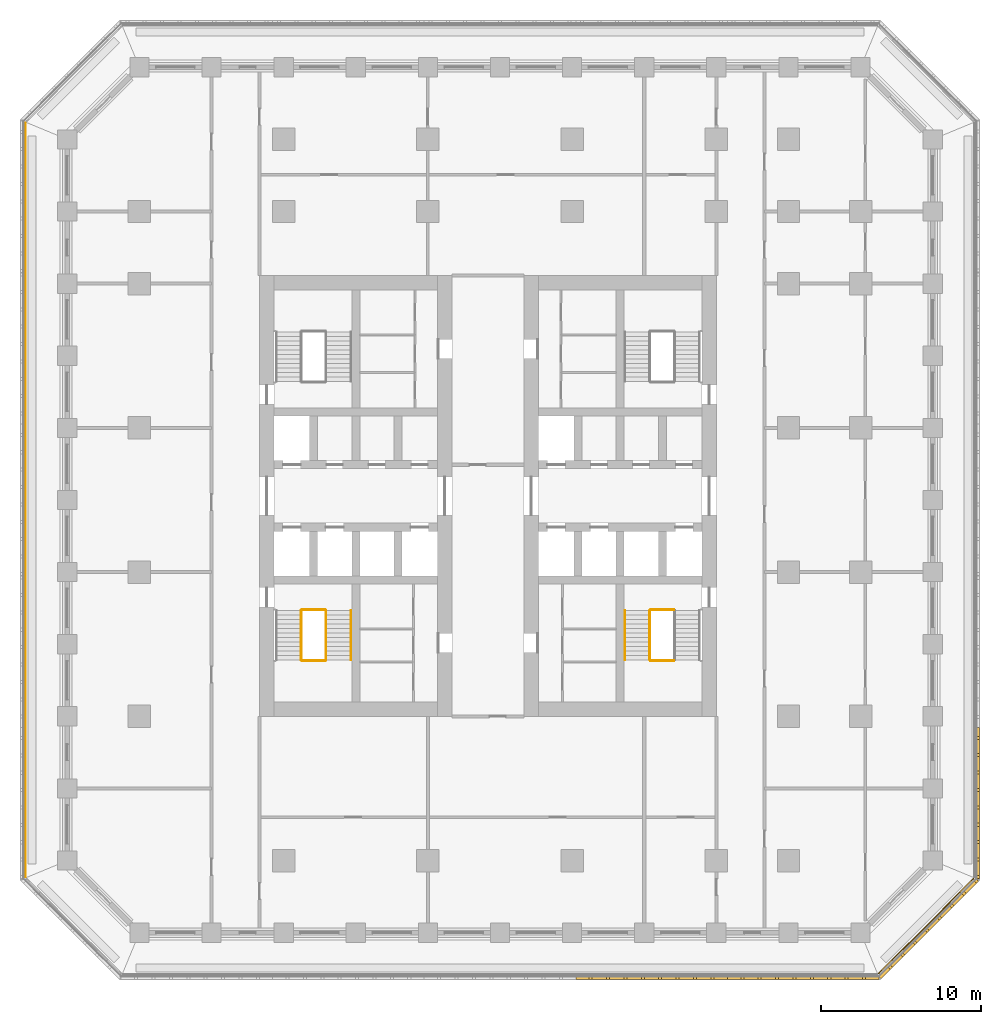
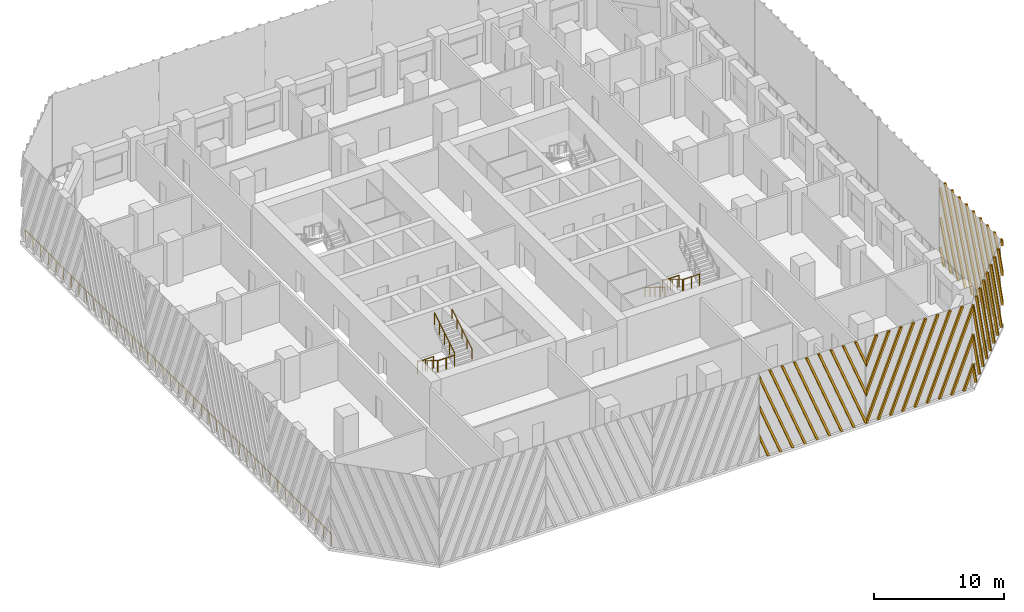
# One storey, part 12 of 19: 11 railings, 4 shading devices.
"""IFC4 building model written with IfcOpenShell, lengths in metres."""

from ifc_helpers import new_model, si_unit, direction, frame, origin, origin_2d, place, context, subcontext, project, spatial, polyline, circle, outline, extrude, source, transform, mapped, material, type_object, element, save


model = new_model("IFC4")

# Units and contexts
model_context = context("Model", 3, precision=1e-05, world=origin(), true_north=direction((0.0, 1.0)))
body_context = subcontext(model_context, "Body", "Model", "MODEL_VIEW")
ifc_project = project(units=[si_unit("LENGTHUNIT", "METRE"), si_unit("AREAUNIT", "SQUARE_METRE"), si_unit("VOLUMEUNIT", "CUBIC_METRE"), si_unit("PLANEANGLEUNIT", "RADIAN"), si_unit("MASSUNIT", "GRAM", prefix="KILO")], contexts=[model_context])

# Site, building, storey
site_placement = place(None, origin())
site = spatial("IfcSite", under=ifc_project, at=site_placement, CompositionType="ELEMENT")
building_placement = place(site_placement, origin())
building = spatial("IfcBuilding", under=site, at=building_placement, Name="Corbel Stack Research Tower", CompositionType="ELEMENT")
storey_placement = place(building_placement, frame((0.0, 0.0, 90.199951171875)))
storey = spatial("IfcBuildingStorey", under=building, at=storey_placement, Name="L20", CompositionType="ELEMENT", Elevation=90.199951171875)

# Railings
ifc_material_1 = material(Name="Steel S355", Category="steel")
railing_type_1 = type_object("IfcRailingType", Name="Stair guard 1100", PredefinedType="GUARDRAIL", material=ifc_material_1)
railing_1_placement = place(storey_placement, frame((-7.89990234375, -2.39990234375, 0.1708984375)))
element("IfcRailing", 1, at=railing_1_placement, inside=storey, type_object=railing_type_1, Name="L20 ST-W1 stair guard 1", PredefinedType="GUARDRAIL", context=body_context, shape_type="SweptSolid", body=[
    extrude(circle(Radius=0.02392578125, at=origin_2d()), frame((0.0, 0.0, 1.076171875), z_axis=(0.0, -0.853666305674, 0.52082035152), x_axis=(1.0, 0.0, 0.0)), (0.0, 0.0, 1.0), 3.608154296875),
    extrude(circle(Radius=0.02099609375, at=origin_2d()), origin(), (0.0, 0.0, 1.0), 1.052001953125),
    extrude(circle(Radius=0.02099609375, at=origin_2d()), frame((0.0, -0.77001953125, 0.4697265625)), (0.0, 0.0, 1.0), 1.052001953125),
    extrude(circle(Radius=0.02099609375, at=origin_2d()), frame((0.0, -1.5400390625, 0.939453125)), (0.0, 0.0, 1.0), 1.052001953125),
    extrude(circle(Radius=0.02099609375, at=origin_2d()), frame((0.0, -2.31005859375, 1.409423828125)), (0.0, 0.0, 1.0), 1.052001953125),
    extrude(circle(Radius=0.02099609375, at=origin_2d()), frame((0.0, -3.080078125, 1.879150390625)), (0.0, 0.0, 1.0), 1.052001953125),
])
railing_2_placement = place(storey_placement, frame((-7.85009765625, -5.530029296875, 2.050048828125)))
element("IfcRailing", 2, at=railing_2_placement, inside=storey, type_object=railing_type_1, Name="L20 ST-W1 stair guard 2", PredefinedType="GUARDRAIL", context=body_context, shape_type="SweptSolid", body=[
    extrude(circle(Radius=0.02392578125, at=origin_2d()), frame((0.0, 0.0, 1.076171875), z_axis=(1.0, 0.0, 0.0), x_axis=(0.0, 1.0, 0.0)), (0.0, 0.0, 1.0), 1.4501953125),
    extrude(circle(Radius=0.02099609375, at=origin_2d()), origin(), (0.0, 0.0, 1.0), 1.052001953125),
    extrude(circle(Radius=0.02099609375, at=origin_2d()), frame((0.72509765625, 0.0, 0.0)), (0.0, 0.0, 1.0), 1.052001953125),
    extrude(circle(Radius=0.02099609375, at=origin_2d()), frame((1.4501953125, 0.0, 0.0)), (0.0, 0.0, 1.0), 1.052001953125),
])
railing_3_placement = place(storey_placement, frame((-6.35009765625, -5.47998046875, 2.220947265625)))
element("IfcRailing", 3, at=railing_3_placement, inside=storey, type_object=railing_type_1, Name="L20 ST-W1 stair guard 4", PredefinedType="GUARDRAIL", context=body_context, shape_type="SweptSolid", body=[
    extrude(circle(Radius=0.02392578125, at=origin_2d()), frame((0.0, 0.0, 1.076171875), z_axis=(0.0, 0.853666305674, 0.52082035152), x_axis=(-1.0, 0.0, 0.0)), (0.0, 0.0, 1.0), 3.608154296875),
    extrude(circle(Radius=0.02099609375, at=origin_2d()), origin(), (0.0, 0.0, 1.0), 1.052001953125),
    extrude(circle(Radius=0.02099609375, at=origin_2d()), frame((0.0, 0.77001953125, 0.4697265625)), (0.0, 0.0, 1.0), 1.052001953125),
    extrude(circle(Radius=0.02099609375, at=origin_2d()), frame((0.0, 1.5400390625, 0.939453125)), (0.0, 0.0, 1.0), 1.052001953125),
    extrude(circle(Radius=0.02099609375, at=origin_2d()), frame((0.0, 2.31005859375, 1.409423828125)), (0.0, 0.0, 1.0), 1.052001953125),
    extrude(circle(Radius=0.02099609375, at=origin_2d()), frame((0.0, 3.080078125, 1.879150390625)), (0.0, 0.0, 1.0), 1.052001953125),
])
railing_4_placement = place(storey_placement, frame((-7.85009765625, -2.35009765625, 0.0)))
element("IfcRailing", 4, at=railing_4_placement, inside=storey, type_object=railing_type_1, Name="L20 ST-W1 stair guard 5", PredefinedType="GUARDRAIL", context=body_context, shape_type="SweptSolid", body=[
    extrude(circle(Radius=0.02392578125, at=origin_2d()), frame((0.0, 0.0, 1.076171875), z_axis=(1.0, 0.0, 0.0), x_axis=(0.0, 1.0, 0.0)), (0.0, 0.0, 1.0), 1.4501953125),
    extrude(circle(Radius=0.02099609375, at=origin_2d()), origin(), (0.0, 0.0, 1.0), 1.052001953125),
    extrude(circle(Radius=0.02099609375, at=origin_2d()), frame((0.72509765625, 0.0, 0.0)), (0.0, 0.0, 1.0), 1.052001953125),
    extrude(circle(Radius=0.02099609375, at=origin_2d()), frame((1.4501953125, 0.0, 0.0)), (0.0, 0.0, 1.0), 1.052001953125),
])
railing_5_placement = place(storey_placement, frame((13.85009765625, -2.39990234375, 0.1708984375)))
element("IfcRailing", 5, at=railing_5_placement, inside=storey, type_object=railing_type_1, Name="L20 ST-E1 stair guard 1", PredefinedType="GUARDRAIL", context=body_context, shape_type="SweptSolid", body=[
    extrude(circle(Radius=0.02392578125, at=origin_2d()), frame((0.0, 0.0, 1.076171875), z_axis=(0.0, -0.853666305674, 0.52082035152), x_axis=(1.0, 0.0, 0.0)), (0.0, 0.0, 1.0), 3.608154296875),
    extrude(circle(Radius=0.02099609375, at=origin_2d()), origin(), (0.0, 0.0, 1.0), 1.052001953125),
    extrude(circle(Radius=0.02099609375, at=origin_2d()), frame((0.0, -0.77001953125, 0.4697265625)), (0.0, 0.0, 1.0), 1.052001953125),
    extrude(circle(Radius=0.02099609375, at=origin_2d()), frame((0.0, -1.5400390625, 0.939453125)), (0.0, 0.0, 1.0), 1.052001953125),
    extrude(circle(Radius=0.02099609375, at=origin_2d()), frame((0.0, -2.31005859375, 1.409423828125)), (0.0, 0.0, 1.0), 1.052001953125),
    extrude(circle(Radius=0.02099609375, at=origin_2d()), frame((0.0, -3.080078125, 1.879150390625)), (0.0, 0.0, 1.0), 1.052001953125),
])
for number, where, name in (
    (6, (13.89990234375, -5.530029296875, 2.050048828125), "L20 ST-E1 stair guard 2"),
    (7, (13.89990234375, -2.35009765625, 0.0), "L20 ST-E1 stair guard 5"),
):
    element("IfcRailing", number, at=place(storey_placement, frame(where)), inside=storey, type_object=railing_type_1, Name=name, PredefinedType="GUARDRAIL", context=body_context, shape_type="SweptSolid", body=[
        extrude(circle(Radius=0.02392578125, at=origin_2d()), frame((0.0, 0.0, 1.076171875), z_axis=(1.0, 0.0, 0.0), x_axis=(0.0, 1.0, 0.0)), (0.0, 0.0, 1.0), 1.4501953125),
        extrude(circle(Radius=0.02099609375, at=origin_2d()), origin(), (0.0, 0.0, 1.0), 1.052001953125),
        extrude(circle(Radius=0.02099609375, at=origin_2d()), frame((0.72509765625, 0.0, 0.0)), (0.0, 0.0, 1.0), 1.052001953125),
        extrude(circle(Radius=0.02099609375, at=origin_2d()), frame((1.4501953125, 0.0, 0.0)), (0.0, 0.0, 1.0), 1.052001953125),
    ])
ifc_material_2 = material(Name="Steel S355", Category="steel")
railing_type_2 = type_object("IfcRailingType", Name="Stair handrail 900", PredefinedType="HANDRAIL", material=ifc_material_2)
railing_6_placement = place(storey_placement, frame((-4.800048828125, -5.47998046875, 2.220947265625)))
element("IfcRailing", 8, at=railing_6_placement, inside=storey, type_object=railing_type_2, Name="L20 ST-W1 stair handrail 2", PredefinedType="HANDRAIL", context=body_context, shape_type="SweptSolid", body=[
    extrude(circle(Radius=0.02392578125, at=origin_2d()), frame((0.0, 0.0, 0.8759765625), z_axis=(0.0, 0.853666305674, 0.52082035152), x_axis=(-1.0, 0.0, 0.0)), (0.0, 0.0, 1.0), 3.608154296875),
    extrude(circle(Radius=0.02099609375, at=origin_2d()), origin(), (0.0, 0.0, 1.0), 0.851806640625),
    extrude(circle(Radius=0.02099609375, at=origin_2d()), frame((0.0, 0.77001953125, 0.4697265625)), (0.0, 0.0, 1.0), 0.851806640625),
    extrude(circle(Radius=0.02099609375, at=origin_2d()), frame((0.0, 1.5400390625, 0.939453125)), (0.0, 0.0, 1.0), 0.851806640625),
    extrude(circle(Radius=0.02099609375, at=origin_2d()), frame((0.0, 2.31005859375, 1.409423828125)), (0.0, 0.0, 1.0), 0.851806640625),
    extrude(circle(Radius=0.02099609375, at=origin_2d()), frame((0.0, 3.080078125, 1.879150390625)), (0.0, 0.0, 1.0), 0.851806640625),
])
railing_7_placement = place(storey_placement, frame((12.300048828125, -2.39990234375, 0.1708984375)))
element("IfcRailing", 9, at=railing_7_placement, inside=storey, type_object=railing_type_2, Name="L20 ST-E1 stair handrail 1", PredefinedType="HANDRAIL", context=body_context, shape_type="SweptSolid", body=[
    extrude(circle(Radius=0.02392578125, at=origin_2d()), frame((0.0, 0.0, 0.8759765625), z_axis=(0.0, -0.853666305674, 0.52082035152), x_axis=(1.0, 0.0, 0.0)), (0.0, 0.0, 1.0), 3.608154296875),
    extrude(circle(Radius=0.02099609375, at=origin_2d()), origin(), (0.0, 0.0, 1.0), 0.851806640625),
    extrude(circle(Radius=0.02099609375, at=origin_2d()), frame((0.0, -0.77001953125, 0.4697265625)), (0.0, 0.0, 1.0), 0.851806640625),
    extrude(circle(Radius=0.02099609375, at=origin_2d()), frame((0.0, -1.5400390625, 0.939453125)), (0.0, 0.0, 1.0), 0.851806640625),
    extrude(circle(Radius=0.02099609375, at=origin_2d()), frame((0.0, -2.31005859375, 1.409423828125)), (0.0, 0.0, 1.0), 0.851806640625),
    extrude(circle(Radius=0.02099609375, at=origin_2d()), frame((0.0, -3.080078125, 1.879150390625)), (0.0, 0.0, 1.0), 0.851806640625),
])
ifc_material_3 = material(Name="Powder-coated steel guard", Category="steel")
railing_type_3 = type_object("IfcRailingType", Name="Steel and glass guard 1100", PredefinedType="GUARDRAIL", material=ifc_material_3)
railing_8_placement = place(storey_placement, frame((28.127685546875, -25.04931640625, 0.0)))
element("IfcRailing", 10, at=railing_8_placement, inside=storey, type_object=railing_type_3, Name="Loggia guard L20 SE", PredefinedType="GUARDRAIL", context=body_context, shape_type="SweptSolid", body=[
    extrude(circle(Radius=0.02392578125, at=origin_2d()), frame((0.0, 0.0, 1.076171875), z_axis=(0.707106781187, 0.707106781187, 0.0), x_axis=(-0.707106781187, 0.707106781187, 0.0)), (0.0, 0.0, 1.0), 8.37451171875),
    extrude(circle(Radius=0.02099609375, at=origin_2d()), origin(), (0.0, 0.0, 1.0), 1.052001953125),
    extrude(circle(Radius=0.02099609375, at=origin_2d()), frame((0.845947265625, 0.845947265625, 0.0)), (0.0, 0.0, 1.0), 1.052001953125),
    extrude(circle(Radius=0.02099609375, at=origin_2d()), frame((1.69189453125, 1.69189453125, 0.0)), (0.0, 0.0, 1.0), 1.052001953125),
    extrude(circle(Radius=0.02099609375, at=origin_2d()), frame((2.537841796875, 2.537841796875, 0.0)), (0.0, 0.0, 1.0), 1.052001953125),
    extrude(circle(Radius=0.02099609375, at=origin_2d()), frame((3.3837890625, 3.3837890625, 0.0)), (0.0, 0.0, 1.0), 1.052001953125),
    extrude(circle(Radius=0.02099609375, at=origin_2d()), frame((4.229736328125, 4.229736328125, 0.0)), (0.0, 0.0, 1.0), 1.052001953125),
    extrude(circle(Radius=0.02099609375, at=origin_2d()), frame((5.07568359375, 5.07568359375, 0.0)), (0.0, 0.0, 1.0), 1.052001953125),
    extrude(circle(Radius=0.02099609375, at=origin_2d()), frame((5.921630859375, 5.921630859375, 0.0)), (0.0, 0.0, 1.0), 1.052001953125),
])
railing_9_placement = place(storey_placement, frame((-25.10009765625, 28.00537109375, 0.0)))
element("IfcRailing", 11, at=railing_9_placement, inside=storey, type_object=railing_type_3, Name="Loggia guard L20 W", PredefinedType="GUARDRAIL", context=body_context, shape_type="SweptSolid", body=[
    extrude(circle(Radius=0.02392578125, at=origin_2d()), frame((0.0, 0.0, 1.076171875), z_axis=(0.0, -1.0, 0.0), x_axis=(1.0, 0.0, 0.0)), (0.0, 0.0, 1.0), 47.0107421875),
    extrude(circle(Radius=0.02099609375, at=origin_2d()), origin(), (0.0, 0.0, 1.0), 1.052001953125),
    extrude(circle(Radius=0.02099609375, at=origin_2d()), frame((0.0, -1.17529296875, 0.0)), (0.0, 0.0, 1.0), 1.052001953125),
    extrude(circle(Radius=0.02099609375, at=origin_2d()), frame((0.0, -2.3505859375, 0.0)), (0.0, 0.0, 1.0), 1.052001953125),
    extrude(circle(Radius=0.02099609375, at=origin_2d()), frame((0.0, -3.52587890625, 0.0)), (0.0, 0.0, 1.0), 1.052001953125),
    extrude(circle(Radius=0.02099609375, at=origin_2d()), frame((0.0, -4.701171875, 0.0)), (0.0, 0.0, 1.0), 1.052001953125),
    extrude(circle(Radius=0.02099609375, at=origin_2d()), frame((0.0, -5.87646484375, 0.0)), (0.0, 0.0, 1.0), 1.052001953125),
    extrude(circle(Radius=0.02099609375, at=origin_2d()), frame((0.0, -7.051513671875, 0.0)), (0.0, 0.0, 1.0), 1.052001953125),
    extrude(circle(Radius=0.02099609375, at=origin_2d()), frame((0.0, -8.226806640625, 0.0)), (0.0, 0.0, 1.0), 1.052001953125),
    extrude(circle(Radius=0.02099609375, at=origin_2d()), frame((0.0, -9.402099609375, 0.0)), (0.0, 0.0, 1.0), 1.052001953125),
    extrude(circle(Radius=0.02099609375, at=origin_2d()), frame((0.0, -10.577392578125, 0.0)), (0.0, 0.0, 1.0), 1.052001953125),
    extrude(circle(Radius=0.02099609375, at=origin_2d()), frame((0.0, -11.752685546875, 0.0)), (0.0, 0.0, 1.0), 1.052001953125),
    extrude(circle(Radius=0.02099609375, at=origin_2d()), frame((0.0, -12.927978515625, 0.0)), (0.0, 0.0, 1.0), 1.052001953125),
    extrude(circle(Radius=0.02099609375, at=origin_2d()), frame((0.0, -14.103271484375, 0.0)), (0.0, 0.0, 1.0), 1.052001953125),
    extrude(circle(Radius=0.02099609375, at=origin_2d()), frame((0.0, -15.278564453125, 0.0)), (0.0, 0.0, 1.0), 1.052001953125),
    extrude(circle(Radius=0.02099609375, at=origin_2d()), frame((0.0, -16.453857421875, 0.0)), (0.0, 0.0, 1.0), 1.052001953125),
    extrude(circle(Radius=0.02099609375, at=origin_2d()), frame((0.0, -17.62890625, 0.0)), (0.0, 0.0, 1.0), 1.052001953125),
    extrude(circle(Radius=0.02099609375, at=origin_2d()), frame((0.0, -18.80419921875, 0.0)), (0.0, 0.0, 1.0), 1.052001953125),
    extrude(circle(Radius=0.02099609375, at=origin_2d()), frame((0.0, -19.9794921875, 0.0)), (0.0, 0.0, 1.0), 1.052001953125),
    extrude(circle(Radius=0.02099609375, at=origin_2d()), frame((0.0, -21.15478515625, 0.0)), (0.0, 0.0, 1.0), 1.052001953125),
    extrude(circle(Radius=0.02099609375, at=origin_2d()), frame((0.0, -22.330078125, 0.0)), (0.0, 0.0, 1.0), 1.052001953125),
    extrude(circle(Radius=0.02099609375, at=origin_2d()), frame((0.0, -23.50537109375, 0.0)), (0.0, 0.0, 1.0), 1.052001953125),
    extrude(circle(Radius=0.02099609375, at=origin_2d()), frame((0.0, -24.6806640625, 0.0)), (0.0, 0.0, 1.0), 1.052001953125),
    extrude(circle(Radius=0.02099609375, at=origin_2d()), frame((0.0, -25.85595703125, 0.0)), (0.0, 0.0, 1.0), 1.052001953125),
    extrude(circle(Radius=0.02099609375, at=origin_2d()), frame((0.0, -27.03125, 0.0)), (0.0, 0.0, 1.0), 1.052001953125),
    extrude(circle(Radius=0.02099609375, at=origin_2d()), frame((0.0, -28.20654296875, 0.0)), (0.0, 0.0, 1.0), 1.052001953125),
    extrude(circle(Radius=0.02099609375, at=origin_2d()), frame((0.0, -29.3818359375, 0.0)), (0.0, 0.0, 1.0), 1.052001953125),
    extrude(circle(Radius=0.02099609375, at=origin_2d()), frame((0.0, -30.556884765625, 0.0)), (0.0, 0.0, 1.0), 1.052001953125),
    extrude(circle(Radius=0.02099609375, at=origin_2d()), frame((0.0, -31.732177734375, 0.0)), (0.0, 0.0, 1.0), 1.052001953125),
    extrude(circle(Radius=0.02099609375, at=origin_2d()), frame((0.0, -32.907470703125, 0.0)), (0.0, 0.0, 1.0), 1.052001953125),
    extrude(circle(Radius=0.02099609375, at=origin_2d()), frame((0.0, -34.082763671875, 0.0)), (0.0, 0.0, 1.0), 1.052001953125),
    extrude(circle(Radius=0.02099609375, at=origin_2d()), frame((0.0, -35.258056640625, 0.0)), (0.0, 0.0, 1.0), 1.052001953125),
    extrude(circle(Radius=0.02099609375, at=origin_2d()), frame((0.0, -36.433349609375, 0.0)), (0.0, 0.0, 1.0), 1.052001953125),
    extrude(circle(Radius=0.02099609375, at=origin_2d()), frame((0.0, -37.608642578125, 0.0)), (0.0, 0.0, 1.0), 1.052001953125),
    extrude(circle(Radius=0.02099609375, at=origin_2d()), frame((0.0, -38.783935546875, 0.0)), (0.0, 0.0, 1.0), 1.052001953125),
    extrude(circle(Radius=0.02099609375, at=origin_2d()), frame((0.0, -39.959228515625, 0.0)), (0.0, 0.0, 1.0), 1.052001953125),
    extrude(circle(Radius=0.02099609375, at=origin_2d()), frame((0.0, -41.13427734375, 0.0)), (0.0, 0.0, 1.0), 1.052001953125),
    extrude(circle(Radius=0.02099609375, at=origin_2d()), frame((0.0, -42.3095703125, 0.0)), (0.0, 0.0, 1.0), 1.052001953125),
    extrude(circle(Radius=0.02099609375, at=origin_2d()), frame((0.0, -43.48486328125, 0.0)), (0.0, 0.0, 1.0), 1.052001953125),
    extrude(circle(Radius=0.02099609375, at=origin_2d()), frame((0.0, -44.66015625, 0.0)), (0.0, 0.0, 1.0), 1.052001953125),
    extrude(circle(Radius=0.02099609375, at=origin_2d()), frame((0.0, -45.83544921875, 0.0)), (0.0, 0.0, 1.0), 1.052001953125),
    extrude(circle(Radius=0.02099609375, at=origin_2d()), frame((0.0, -47.0107421875, 0.0)), (0.0, 0.0, 1.0), 1.052001953125),
])

# Shading devices
ifc_material_4 = material(Name="Precast terracotta", Category="masonry")
shading_device_type = type_object("IfcShadingDeviceType", Name="Terracotta screen panel", PredefinedType="USERDEFINED", material=ifc_material_4)
shared_shape_1 = source(origin(), body_context, "Body", "SweptSolid", [
    extrude(outline(polyline([(1.030517578125, 7.949951171875), (0.840576171875, 7.949951171875), (0.0, 5.7978515625), (0.0, 5.311279296875), (1.030517578125, 7.949951171875)])), frame((0.0, 0.0, 0.0), z_axis=(0.0, -1.0, 0.0), x_axis=(1.0, 0.0, 0.0)), (0.0, 0.0, 1.0), 0.179931640625),
    extrude(outline(polyline([(2.115234375, 7.949951171875), (1.92529296875, 7.949951171875), (0.0, 3.0205078125), (0.0, 2.533935546875), (2.115234375, 7.949951171875)])), frame((0.0, 0.0, 0.0), z_axis=(0.0, -1.0, 0.0), x_axis=(1.0, 0.0, 0.0)), (0.0, 0.0, 1.0), 0.179931640625),
    extrude(outline(polyline([(0.094970703125, 0.0), (3.199951171875, 7.949951171875), (3.010009765625, 7.949951171875), (0.0, 0.2431640625), (0.0, 0.0), (0.094970703125, 0.0)])), frame((0.0, 0.0, 0.0), z_axis=(0.0, -1.0, 0.0), x_axis=(1.0, 0.0, 0.0)), (0.0, 0.0, 1.0), 0.179931640625),
    extrude(outline(polyline([(1.1796875, 0.0), (4.284423828125, 7.949951171875), (4.094482421875, 7.949951171875), (0.98974609375, 0.0), (1.1796875, 0.0)])), frame((0.0, 0.0, 0.0), z_axis=(0.0, -1.0, 0.0), x_axis=(1.0, 0.0, 0.0)), (0.0, 0.0, 1.0), 0.179931640625),
    extrude(outline(polyline([(2.264404296875, 0.0), (5.369140625, 7.949951171875), (5.17919921875, 7.949951171875), (2.07421875, 0.0), (2.264404296875, 0.0)])), frame((0.0, 0.0, 0.0), z_axis=(0.0, -1.0, 0.0), x_axis=(1.0, 0.0, 0.0)), (0.0, 0.0, 1.0), 0.179931640625),
    extrude(outline(polyline([(3.34912109375, 0.0), (6.453857421875, 7.949951171875), (6.263916015625, 7.949951171875), (3.158935546875, 0.0), (3.34912109375, 0.0)])), frame((0.0, 0.0, 0.0), z_axis=(0.0, -1.0, 0.0), x_axis=(1.0, 0.0, 0.0)), (0.0, 0.0, 1.0), 0.179931640625),
    extrude(outline(polyline([(4.43359375, 0.0), (7.53857421875, 7.949951171875), (7.348388671875, 7.949951171875), (4.24365234375, 0.0), (4.43359375, 0.0)])), frame((0.0, 0.0, 0.0), z_axis=(0.0, -1.0, 0.0), x_axis=(1.0, 0.0, 0.0)), (0.0, 0.0, 1.0), 0.179931640625),
    extrude(outline(polyline([(5.518310546875, 0.0), (8.623291015625, 7.949951171875), (8.43310546875, 7.949951171875), (5.328369140625, 0.0), (5.518310546875, 0.0)])), frame((0.0, 0.0, 0.0), z_axis=(0.0, -1.0, 0.0), x_axis=(1.0, 0.0, 0.0)), (0.0, 0.0, 1.0), 0.179931640625),
    extrude(outline(polyline([(6.60302734375, 0.0), (9.45556640625, 7.30419921875), (9.45556640625, 7.790771484375), (6.4130859375, 0.0), (6.60302734375, 0.0)])), frame((0.0, 0.0, 0.0), z_axis=(0.0, -1.0, 0.0), x_axis=(1.0, 0.0, 0.0)), (0.0, 0.0, 1.0), 0.179931640625),
    extrude(outline(polyline([(7.687744140625, 0.0), (9.45556640625, 4.52685546875), (9.45556640625, 5.013427734375), (7.497802734375, 0.0), (7.687744140625, 0.0)])), frame((0.0, 0.0, 0.0), z_axis=(0.0, -1.0, 0.0), x_axis=(1.0, 0.0, 0.0)), (0.0, 0.0, 1.0), 0.179931640625),
    extrude(outline(polyline([(8.772216796875, 0.0), (9.45556640625, 1.74951171875), (9.45556640625, 2.236083984375), (8.582275390625, 0.0), (8.772216796875, 0.0)])), frame((0.0, 0.0, 0.0), z_axis=(0.0, -1.0, 0.0), x_axis=(1.0, 0.0, 0.0)), (0.0, 0.0, 1.0), 0.179931640625),
])
shading_device_1_placement = place(storey_placement, frame((18.68359375, -25.25, 0.0), z_axis=(0.0, 0.0, 1.0), x_axis=(1.0, 0.0, 0.0)))
element("IfcShadingDevice", 12, at=shading_device_1_placement, inside=storey, type_object=shading_device_type, Name="Terracotta screen L20 S5", ObjectType="SCREEN", PredefinedType="USERDEFINED", context=body_context, shape_type="MappedRepresentation", body=[
    mapped(shared_shape_1, transform((0.0, 0.0, 0.0))),
])
shared_shape_2 = source(origin(), body_context, "Body", "SweptSolid", [
    extrude(outline(polyline([(0.873291015625, 0.0), (0.0, 2.236083984375), (0.0, 1.74951171875), (0.683349609375, 0.0), (0.873291015625, 0.0)])), frame((0.0, 0.0, 0.0), z_axis=(0.0, -1.0, 0.0), x_axis=(1.0, 0.0, 0.0)), (0.0, 0.0, 1.0), 0.179931640625),
    extrude(outline(polyline([(1.9580078125, 0.0), (0.0, 5.013427734375), (0.0, 4.52685546875), (1.76806640625, 0.0), (1.9580078125, 0.0)])), frame((0.0, 0.0, 0.0), z_axis=(0.0, -1.0, 0.0), x_axis=(1.0, 0.0, 0.0)), (0.0, 0.0, 1.0), 0.179931640625),
    extrude(outline(polyline([(3.04248046875, 0.0), (0.0, 7.790771484375), (0.0, 7.30419921875), (2.8525390625, 0.0), (3.04248046875, 0.0)])), frame((0.0, 0.0, 0.0), z_axis=(0.0, -1.0, 0.0), x_axis=(1.0, 0.0, 0.0)), (0.0, 0.0, 1.0), 0.179931640625),
    extrude(outline(polyline([(4.127197265625, 0.0), (1.0224609375, 7.949951171875), (0.83251953125, 7.949951171875), (3.937255859375, 0.0), (4.127197265625, 0.0)])), frame((0.0, 0.0, 0.0), z_axis=(0.0, -1.0, 0.0), x_axis=(1.0, 0.0, 0.0)), (0.0, 0.0, 1.0), 0.179931640625),
    extrude(outline(polyline([(5.2119140625, 0.0), (2.107177734375, 7.949951171875), (1.9169921875, 7.949951171875), (5.02197265625, 0.0), (5.2119140625, 0.0)])), frame((0.0, 0.0, 0.0), z_axis=(0.0, -1.0, 0.0), x_axis=(1.0, 0.0, 0.0)), (0.0, 0.0, 1.0), 0.179931640625),
    extrude(outline(polyline([(6.296630859375, 0.0), (3.19189453125, 7.949951171875), (3.001708984375, 7.949951171875), (6.106689453125, 0.0), (6.296630859375, 0.0)])), frame((0.0, 0.0, 0.0), z_axis=(0.0, -1.0, 0.0), x_axis=(1.0, 0.0, 0.0)), (0.0, 0.0, 1.0), 0.179931640625),
    extrude(outline(polyline([(7.38134765625, 0.0), (4.276611328125, 7.949951171875), (4.08642578125, 7.949951171875), (7.19140625, 0.0), (7.38134765625, 0.0)])), frame((0.0, 0.0, 0.0), z_axis=(0.0, -1.0, 0.0), x_axis=(1.0, 0.0, 0.0)), (0.0, 0.0, 1.0), 0.179931640625),
    extrude(outline(polyline([(8.466064453125, 0.0), (5.361083984375, 7.949951171875), (5.171142578125, 7.949951171875), (8.27587890625, 0.0), (8.466064453125, 0.0)])), frame((0.0, 0.0, 0.0), z_axis=(0.0, -1.0, 0.0), x_axis=(1.0, 0.0, 0.0)), (0.0, 0.0, 1.0), 0.179931640625),
    extrude(outline(polyline([(9.45556640625, 0.0), (9.45556640625, 0.2431640625), (6.44580078125, 7.949951171875), (6.255859375, 7.949951171875), (9.360595703125, 0.0), (9.45556640625, 0.0)])), frame((0.0, 0.0, 0.0), z_axis=(0.0, -1.0, 0.0), x_axis=(1.0, 0.0, 0.0)), (0.0, 0.0, 1.0), 0.179931640625),
    extrude(outline(polyline([(7.530517578125, 7.949951171875), (7.34033203125, 7.949951171875), (9.45556640625, 2.533935546875), (9.45556640625, 3.0205078125), (7.530517578125, 7.949951171875)])), frame((0.0, 0.0, 0.0), z_axis=(0.0, -1.0, 0.0), x_axis=(1.0, 0.0, 0.0)), (0.0, 0.0, 1.0), 0.179931640625),
    extrude(outline(polyline([(8.614990234375, 7.949951171875), (8.425048828125, 7.949951171875), (9.45556640625, 5.311279296875), (9.45556640625, 5.7978515625), (8.614990234375, 7.949951171875)])), frame((0.0, 0.0, 0.0), z_axis=(0.0, -1.0, 0.0), x_axis=(1.0, 0.0, 0.0)), (0.0, 0.0, 1.0), 0.179931640625),
])
shading_device_2_placement = place(storey_placement, frame((9.227783203125, -25.25, 0.0), z_axis=(0.0, 0.0, 1.0), x_axis=(1.0, 0.0, 0.0)))
element("IfcShadingDevice", 13, at=shading_device_2_placement, inside=storey, type_object=shading_device_type, Name="Terracotta screen L20 S4", ObjectType="SCREEN", PredefinedType="USERDEFINED", context=body_context, shape_type="MappedRepresentation", body=[
    mapped(shared_shape_2, transform((0.0, 0.0, 0.0))),
])
shared_shape_3 = source(origin(), body_context, "Body", "SweptSolid", [
    extrude(outline(polyline([(0.873291015625, 0.0), (0.0, 2.236083984375), (0.0, 1.74951171875), (0.683349609375, 0.0), (0.873291015625, 0.0)])), frame((0.0, 0.0, 0.0), z_axis=(0.0, -1.0, 0.0), x_axis=(1.0, 0.0, 0.0)), (0.0, 0.0, 1.0), 0.179931640625),
    extrude(outline(polyline([(1.9580078125, 0.0), (0.0, 5.013427734375), (0.0, 4.52685546875), (1.76806640625, 0.0), (1.9580078125, 0.0)])), frame((0.0, 0.0, 0.0), z_axis=(0.0, -1.0, 0.0), x_axis=(1.0, 0.0, 0.0)), (0.0, 0.0, 1.0), 0.179931640625),
    extrude(outline(polyline([(3.04248046875, 0.0), (0.0, 7.790771484375), (0.0, 7.30419921875), (2.8525390625, 0.0), (3.04248046875, 0.0)])), frame((0.0, 0.0, 0.0), z_axis=(0.0, -1.0, 0.0), x_axis=(1.0, 0.0, 0.0)), (0.0, 0.0, 1.0), 0.179931640625),
    extrude(outline(polyline([(4.127197265625, 0.0), (1.0224609375, 7.949951171875), (0.83251953125, 7.949951171875), (3.937255859375, 0.0), (4.127197265625, 0.0)])), frame((0.0, 0.0, 0.0), z_axis=(0.0, -1.0, 0.0), x_axis=(1.0, 0.0, 0.0)), (0.0, 0.0, 1.0), 0.179931640625),
    extrude(outline(polyline([(5.2119140625, 0.0), (2.107177734375, 7.949951171875), (1.9169921875, 7.949951171875), (5.02197265625, 0.0), (5.2119140625, 0.0)])), frame((0.0, 0.0, 0.0), z_axis=(0.0, -1.0, 0.0), x_axis=(1.0, 0.0, 0.0)), (0.0, 0.0, 1.0), 0.179931640625),
    extrude(outline(polyline([(6.296630859375, 0.0), (3.19189453125, 7.949951171875), (3.001708984375, 7.949951171875), (6.106689453125, 0.0), (6.296630859375, 0.0)])), frame((0.0, 0.0, 0.0), z_axis=(0.0, -1.0, 0.0), x_axis=(1.0, 0.0, 0.0)), (0.0, 0.0, 1.0), 0.179931640625),
    extrude(outline(polyline([(7.38134765625, 0.0), (4.276611328125, 7.949951171875), (4.08642578125, 7.949951171875), (7.19140625, 0.0), (7.38134765625, 0.0)])), frame((0.0, 0.0, 0.0), z_axis=(0.0, -1.0, 0.0), x_axis=(1.0, 0.0, 0.0)), (0.0, 0.0, 1.0), 0.179931640625),
    extrude(outline(polyline([(8.466064453125, 0.0), (5.361083984375, 7.949951171875), (5.171142578125, 7.949951171875), (8.27587890625, 0.0), (8.466064453125, 0.0)])), frame((0.0, 0.0, 0.0), z_axis=(0.0, -1.0, 0.0), x_axis=(1.0, 0.0, 0.0)), (0.0, 0.0, 1.0), 0.179931640625),
    extrude(outline(polyline([(6.44580078125, 7.949951171875), (6.255859375, 7.949951171875), (8.64208984375, 1.839599609375), (8.64208984375, 2.326171875), (6.44580078125, 7.949951171875)])), frame((0.0, 0.0, 0.0), z_axis=(0.0, -1.0, 0.0), x_axis=(1.0, 0.0, 0.0)), (0.0, 0.0, 1.0), 0.179931640625),
    extrude(outline(polyline([(7.530517578125, 7.949951171875), (7.34033203125, 7.949951171875), (8.64208984375, 4.616943359375), (8.64208984375, 5.103515625), (7.530517578125, 7.949951171875)])), frame((0.0, 0.0, 0.0), z_axis=(0.0, -1.0, 0.0), x_axis=(1.0, 0.0, 0.0)), (0.0, 0.0, 1.0), 0.179931640625),
    extrude(outline(polyline([(8.614990234375, 7.949951171875), (8.425048828125, 7.949951171875), (8.64208984375, 7.394287109375), (8.64208984375, 7.880859375), (8.614990234375, 7.949951171875)])), frame((0.0, 0.0, 0.0), z_axis=(0.0, -1.0, 0.0), x_axis=(1.0, 0.0, 0.0)), (0.0, 0.0, 1.0), 0.179931640625),
])
shading_device_3_placement = place(storey_placement, frame((28.13916015625, -25.25, 0.0), z_axis=(0.0, 0.0, 1.0), x_axis=(0.707106781187, 0.707106781187, 0.0)))
element("IfcShadingDevice", 14, at=shading_device_3_placement, inside=storey, type_object=shading_device_type, Name="Terracotta screen L20 SE1", ObjectType="SCREEN", PredefinedType="USERDEFINED", context=body_context, shape_type="MappedRepresentation", body=[
    mapped(shared_shape_3, transform((0.0, 0.0, 0.0))),
])
shared_shape_4 = source(origin(), body_context, "Body", "SweptSolid", [
    extrude(outline(polyline([(0.217041015625, 7.949951171875), (0.027099609375, 7.949951171875), (0.0, 7.880859375), (0.0, 7.394287109375), (0.217041015625, 7.949951171875)])), frame((0.0, 0.0, 0.0), z_axis=(0.0, -1.0, 0.0), x_axis=(1.0, 0.0, 0.0)), (0.0, 0.0, 1.0), 0.179931640625),
    extrude(outline(polyline([(1.3017578125, 7.949951171875), (1.11181640625, 7.949951171875), (0.0, 5.103515625), (0.0, 4.616943359375), (1.3017578125, 7.949951171875)])), frame((0.0, 0.0, 0.0), z_axis=(0.0, -1.0, 0.0), x_axis=(1.0, 0.0, 0.0)), (0.0, 0.0, 1.0), 0.179931640625),
    extrude(outline(polyline([(2.386474609375, 7.949951171875), (2.1962890625, 7.949951171875), (0.0, 2.326171875), (0.0, 1.839599609375), (2.386474609375, 7.949951171875)])), frame((0.0, 0.0, 0.0), z_axis=(0.0, -1.0, 0.0), x_axis=(1.0, 0.0, 0.0)), (0.0, 0.0, 1.0), 0.179931640625),
    extrude(outline(polyline([(0.3662109375, 0.0), (3.470947265625, 7.949951171875), (3.281005859375, 7.949951171875), (0.17626953125, 0.0), (0.3662109375, 0.0)])), frame((0.0, 0.0, 0.0), z_axis=(0.0, -1.0, 0.0), x_axis=(1.0, 0.0, 0.0)), (0.0, 0.0, 1.0), 0.179931640625),
    extrude(outline(polyline([(1.45068359375, 0.0), (4.5556640625, 7.949951171875), (4.36572265625, 7.949951171875), (1.2607421875, 0.0), (1.45068359375, 0.0)])), frame((0.0, 0.0, 0.0), z_axis=(0.0, -1.0, 0.0), x_axis=(1.0, 0.0, 0.0)), (0.0, 0.0, 1.0), 0.179931640625),
    extrude(outline(polyline([(2.535400390625, 0.0), (5.640380859375, 7.949951171875), (5.4501953125, 7.949951171875), (2.345458984375, 0.0), (2.535400390625, 0.0)])), frame((0.0, 0.0, 0.0), z_axis=(0.0, -1.0, 0.0), x_axis=(1.0, 0.0, 0.0)), (0.0, 0.0, 1.0), 0.179931640625),
    extrude(outline(polyline([(3.6201171875, 0.0), (6.72509765625, 7.949951171875), (6.534912109375, 7.949951171875), (3.43017578125, 0.0), (3.6201171875, 0.0)])), frame((0.0, 0.0, 0.0), z_axis=(0.0, -1.0, 0.0), x_axis=(1.0, 0.0, 0.0)), (0.0, 0.0, 1.0), 0.179931640625),
    extrude(outline(polyline([(4.704833984375, 0.0), (7.809814453125, 7.949951171875), (7.61962890625, 7.949951171875), (4.514892578125, 0.0), (4.704833984375, 0.0)])), frame((0.0, 0.0, 0.0), z_axis=(0.0, -1.0, 0.0), x_axis=(1.0, 0.0, 0.0)), (0.0, 0.0, 1.0), 0.179931640625),
    extrude(outline(polyline([(5.78955078125, 0.0), (8.894287109375, 7.949951171875), (8.704345703125, 7.949951171875), (5.599609375, 0.0), (5.78955078125, 0.0)])), frame((0.0, 0.0, 0.0), z_axis=(0.0, -1.0, 0.0), x_axis=(1.0, 0.0, 0.0)), (0.0, 0.0, 1.0), 0.179931640625),
    extrude(outline(polyline([(6.874267578125, 0.0), (9.45556640625, 6.60986328125), (9.45556640625, 7.096435546875), (6.68408203125, 0.0), (6.874267578125, 0.0)])), frame((0.0, 0.0, 0.0), z_axis=(0.0, -1.0, 0.0), x_axis=(1.0, 0.0, 0.0)), (0.0, 0.0, 1.0), 0.179931640625),
    extrude(outline(polyline([(7.958740234375, 0.0), (9.45556640625, 3.83251953125), (9.45556640625, 4.319091796875), (7.768798828125, 0.0), (7.958740234375, 0.0)])), frame((0.0, 0.0, 0.0), z_axis=(0.0, -1.0, 0.0), x_axis=(1.0, 0.0, 0.0)), (0.0, 0.0, 1.0), 0.179931640625),
    extrude(outline(polyline([(9.04345703125, 0.0), (9.45556640625, 1.055419921875), (9.45556640625, 1.541748046875), (8.853515625, 0.0), (9.04345703125, 0.0)])), frame((0.0, 0.0, 0.0), z_axis=(0.0, -1.0, 0.0), x_axis=(1.0, 0.0, 0.0)), (0.0, 0.0, 1.0), 0.179931640625),
])
shading_device_4_placement = place(storey_placement, frame((34.25, -19.13916015625, 0.0), z_axis=(0.0, 0.0, 1.0), x_axis=(0.0, 1.0, 0.0)))
element("IfcShadingDevice", 15, at=shading_device_4_placement, inside=storey, type_object=shading_device_type, Name="Terracotta screen L20 E1", ObjectType="SCREEN", PredefinedType="USERDEFINED", context=body_context, shape_type="MappedRepresentation", body=[
    mapped(shared_shape_4, transform((0.0, 0.0, 0.0))),
])

save(model, "model.ifc")
